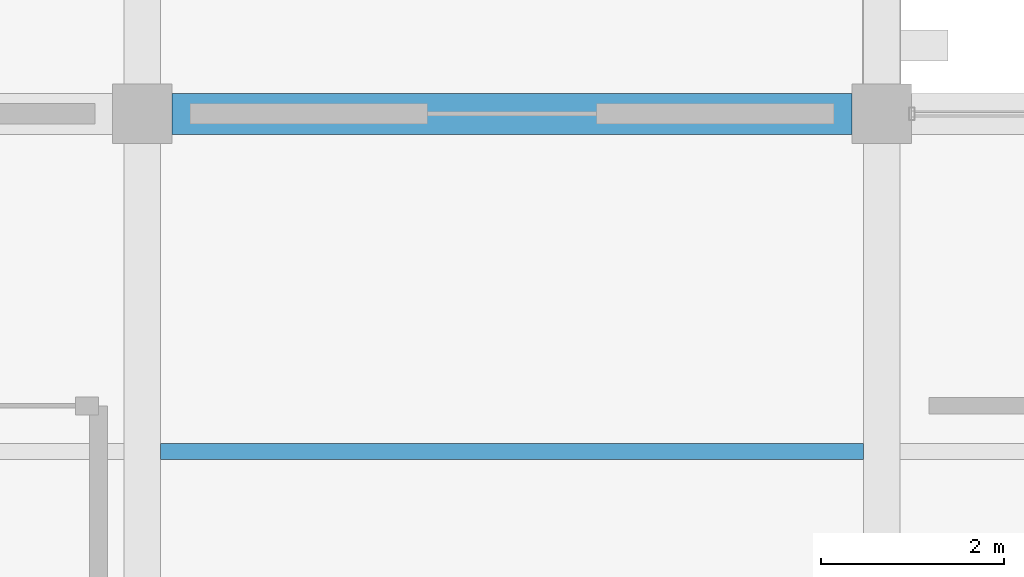
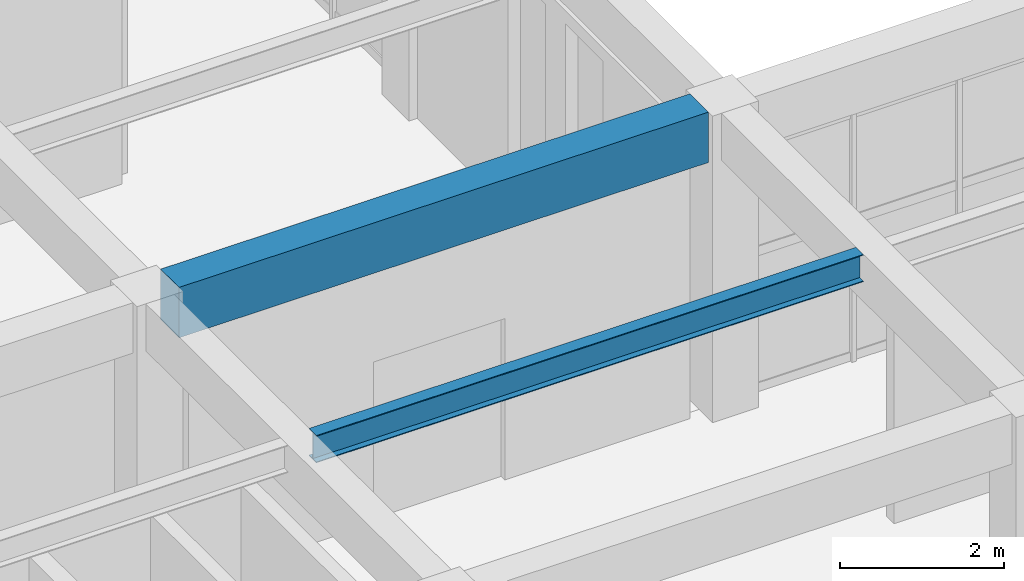
# One storey, part 57 of 161: 2 beams.
"""IFC4 building model written with IfcOpenShell, lengths in metres."""

from ifc_helpers import new_model, si_unit, direction, frame, origin, origin_2d, place, context, subcontext, project, spatial, rectangle, i_section, extrude, material, material_profile, profile_set, type_object, element, save


model = new_model("IFC4")

# Units and contexts
model_context = context("Model", 3, precision=1e-05, world=origin(), true_north=direction((0.0, 1.0)))
body_context = subcontext(model_context, "Body", "Model", "MODEL_VIEW")
ifc_project = project(units=[si_unit("LENGTHUNIT", "METRE"), si_unit("AREAUNIT", "SQUARE_METRE"), si_unit("VOLUMEUNIT", "CUBIC_METRE"), si_unit("PLANEANGLEUNIT", "RADIAN"), si_unit("MASSUNIT", "GRAM", prefix="KILO")], contexts=[model_context])

# Site, building, storey
site_placement = place(None, origin())
site = spatial("IfcSite", under=ifc_project, at=site_placement, CompositionType="ELEMENT")
building_placement = place(site_placement, origin())
building = spatial("IfcBuilding", under=site, at=building_placement, Name="Cimatlan Art Gallery", CompositionType="ELEMENT")
storey_placement = place(building_placement, frame((0.0, 0.0, 5.39990234375)))
storey = spatial("IfcBuildingStorey", under=building, at=storey_placement, Name="L01", CompositionType="ELEMENT", Elevation=5.39990234375)

# Beams
ifc_material_1 = material(Name="Concrete C40/50", Category="concrete")
ifc_material_profile_1 = material_profile(ifc_material_1, rectangle(XDim=0.449951171875, YDim=0.75, at=origin_2d()), Name="RC450X750")
ifc_profile_set_1 = profile_set([ifc_material_profile_1], Name="Concrete C40/50")
beam_type_1 = type_object("IfcBeamType", Name="BM-RC-450X750", PredefinedType="BEAM", material=ifc_profile_set_1)
beam_1_placement = place(storey_placement, frame((123.824951171875, 38.699951171875, 4.18505859375), z_axis=(1.0, 0.0, 0.0), x_axis=(0.0, 1.0, 0.0)))
element("IfcBeam", 1, at=beam_1_placement, inside=storey, type_object=beam_type_1, Name="BM-X-L01-15-05", PredefinedType="BEAM", context=body_context, shape_type="SweptSolid", body=[
    extrude(rectangle(XDim=0.449951171875, YDim=0.75, at=origin_2d()), origin(), (0.0, 0.0, 1.0), 7.449951171875),
])
ifc_material_2 = material(Name="Steel ASTM A992 Grade 50", Category="steel")
ifc_material_profile_2 = material_profile(ifc_material_2, i_section(OverallWidth=0.177978515625, OverallDepth=0.406982421875, WebThickness=0.0078125, FlangeThickness=0.0126953125, at=origin_2d()), Name="W16X40")
ifc_profile_set_2 = profile_set([ifc_material_profile_2], Name="Steel ASTM A992 Grade 50")
beam_type_2 = type_object("IfcBeamType", Name="BM-STL-W16X40", PredefinedType="JOIST", material=ifc_profile_set_2)
beam_2_placement = place(storey_placement, frame((123.699951171875, 35.0, 4.356689453125), z_axis=(1.0, 0.0, 0.0), x_axis=(0.0, 1.0, 0.0)))
element("IfcBeam", 2, at=beam_2_placement, inside=storey, type_object=beam_type_2, Name="JST-L01-15-04", PredefinedType="JOIST", context=body_context, shape_type="SweptSolid", body=[
    extrude(i_section(OverallWidth=0.177978515625, OverallDepth=0.406982421875, WebThickness=0.0078125, FlangeThickness=0.0126953125, at=origin_2d()), origin(), (0.0, 0.0, 1.0), 7.699951171875),
])

save(model, "model.ifc")
